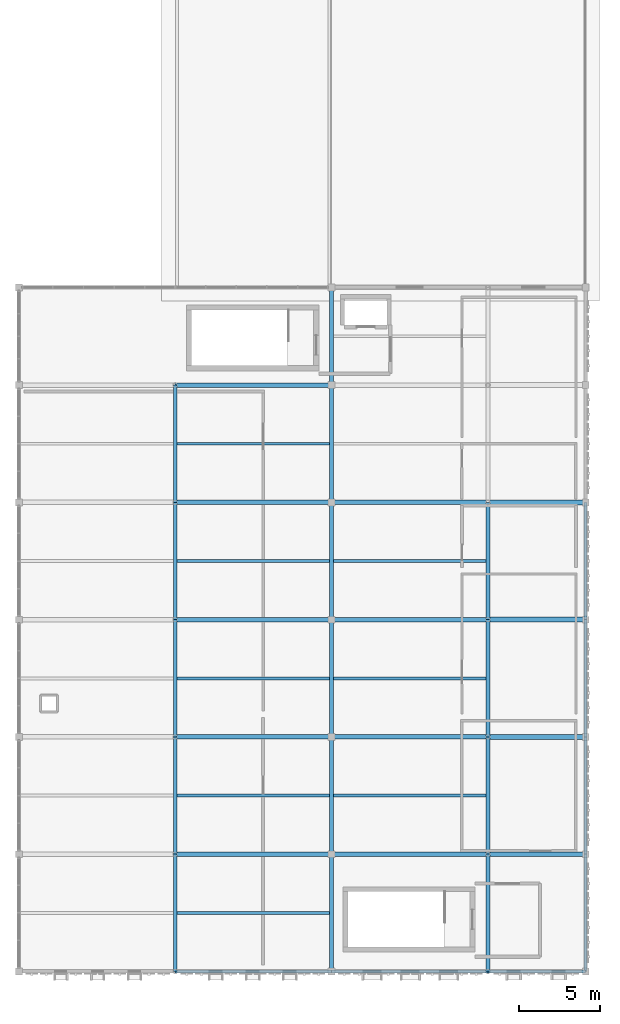
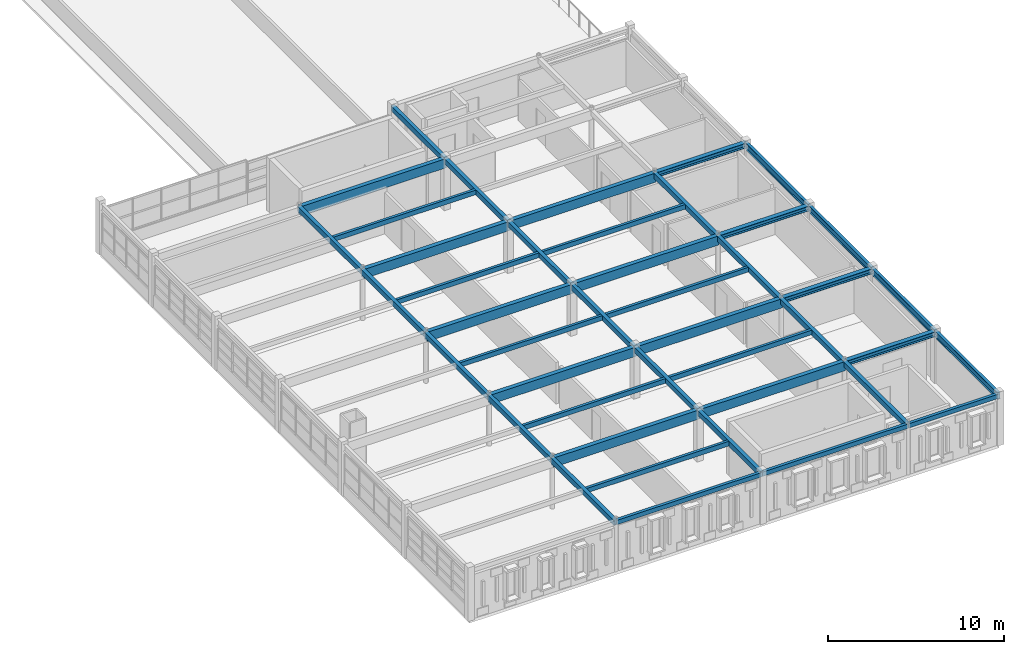
# One storey, part 9 of 25: 43 beams.
"""IFC4 building model written with IfcOpenShell, lengths in metres."""

import ifcopenshell
import ifcopenshell.guid

model = None  # the IFC model being written
_history = None  # IfcOwnerHistory: only IFC2X3 demands one
_inside = {}  # id of a spatial element -> (the spatial element, [elements in it])
_under = {}  # id of a project, library or spatial element -> (it, [spatial elements below it])
_declared = {}  # id of a project -> (the project, [libraries it declares])
_typed = {}  # id of a type object -> (the type object, [elements of that type])
_made_of = {}  # id of a material, layer set ... -> (it, [elements and type objects made of it])


def new_model(schema):
    """Start an empty IFC model of exactly this schema.

    Asked for "IFC4X3", IfcOpenShell would pick the latest addendum, in which some entities
    have other attributes; the version numbers below select the first issue.
    IFC2X3 requires an IfcOwnerHistory on every rooted entity: one is made here for all.
    """
    global model, _history
    if schema == "IFC4X3":
        model = ifcopenshell.file(schema_version=(4, 3, 0, 0))
    else:
        model = ifcopenshell.file(schema=schema)
    _inside.clear()
    _under.clear()
    _declared.clear()
    _typed.clear()
    _made_of.clear()
    _history = None
    if model.schema == "IFC2X3":
        org = make("IfcOrganization", Name="unknown")
        user = make(
            "IfcPersonAndOrganization",
            ThePerson=make("IfcPerson", FamilyName="unknown"),
            TheOrganization=org,
        )
        app = make(
            "IfcApplication",
            ApplicationDeveloper=org,
            Version="unknown",
            ApplicationFullName="unknown",
            ApplicationIdentifier="unknown",
        )
        _history = make(
            "IfcOwnerHistory",
            OwningUser=user,
            OwningApplication=app,
            ChangeAction="ADDED",
            CreationDate=0,
        )
    return model


def make(cls, **values):
    """One entity of the class cls with the attributes given. An attribute that is None is left unset."""
    return model.create_entity(
        cls, **{name: value for name, value in values.items() if value is not None}
    )


def rooted(cls, **values):
    """An entity with a GlobalId (a new one), such as an element, a storey or a relation."""
    return make(cls, GlobalId=ifcopenshell.guid.new(), OwnerHistory=_history, **values)


def si_unit(unit_type, name, prefix=None):
    """IfcSIUnit, for example si_unit("LENGTHUNIT", "METRE", prefix="MILLI")."""
    return make("IfcSIUnit", UnitType=unit_type, Prefix=prefix, Name=name)


def assignment(units):
    """IfcUnitAssignment: the units of a project."""
    return None if units is None else make("IfcUnitAssignment", Units=units)


def point(xyz):
    """IfcCartesianPoint."""
    return None if xyz is None else make("IfcCartesianPoint", Coordinates=xyz)


def direction(xyz):
    """IfcDirection."""
    return None if xyz is None else make("IfcDirection", DirectionRatios=xyz)


def frame(location, z_axis=None, x_axis=None):
    """IfcAxis2Placement3D, a coordinate frame: its origin and axes. An axis left out is left unset."""
    return make(
        "IfcAxis2Placement3D",
        Location=point(location),
        Axis=direction(z_axis),
        RefDirection=direction(x_axis),
    )


def frame_2d(location, x_axis=None):
    """IfcAxis2Placement2D, a coordinate frame in the plane: its origin and x axis."""
    return make(
        "IfcAxis2Placement2D", Location=point(location), RefDirection=direction(x_axis)
    )


def origin():
    """The frame at (0, 0, 0) with its axes left unset."""
    return frame((0.0, 0.0, 0.0))


def origin_2d():
    """The frame at (0, 0) in the plane with its x axis left unset."""
    return frame_2d((0.0, 0.0))


def place(relative_to, where):
    """IfcLocalPlacement: puts the frame where relative to a parent placement (None: the world)."""
    return make(
        "IfcLocalPlacement", PlacementRelTo=relative_to, RelativePlacement=where
    )


def context(
    kind, dimensions, precision=None, world=None, true_north=None, identifier=None
):
    """IfcGeometricRepresentationContext, for example the 3D "Model" context."""
    return make(
        "IfcGeometricRepresentationContext",
        ContextIdentifier=identifier,
        ContextType=kind,
        CoordinateSpaceDimension=dimensions,
        Precision=precision,
        WorldCoordinateSystem=world,
        TrueNorth=true_north,
    )


def subcontext(parent, identifier, kind, view, scale=None):
    """IfcGeometricRepresentationSubContext, for example "Body" below "Model"."""
    return make(
        "IfcGeometricRepresentationSubContext",
        ContextIdentifier=identifier,
        ContextType=kind,
        ParentContext=parent,
        TargetScale=scale,
        TargetView=view,
    )


def project(units=None, contexts=None):
    """IfcProject with its units and contexts."""
    return rooted(
        "IfcProject",
        Name="project",
        RepresentationContexts=contexts,
        UnitsInContext=assignment(units),
    )


def spatial(cls, under=None, at=None, **own):
    """A site, building, storey or space (cls), placed at a placement, below another one or the project."""
    s = rooted(cls, ObjectPlacement=at, **own)
    if under is not None:
        _under.setdefault(under.id(), (under, []))[1].append(s)
    return s


def profile(cls, at=None, kind="AREA", **sizes):
    """A parametric profile (cls). Its sizes go by their IFC names, for example OverallWidth=200.0."""
    return make(cls, ProfileType=kind, Position=at, **sizes)


def rectangle(**sizes):
    """IfcRectangleProfileDef."""
    return profile("IfcRectangleProfileDef", **sizes)


def hollow_rectangle(**sizes):
    """IfcRectangleHollowProfileDef."""
    return profile("IfcRectangleHollowProfileDef", **sizes)


def i_section(**sizes):
    """IfcIShapeProfileDef."""
    return profile("IfcIShapeProfileDef", **sizes)


def extrude(swept, where, along, depth):
    """IfcExtrudedAreaSolid: the profile swept, set in the frame where, extruded along a direction by depth."""
    return make(
        "IfcExtrudedAreaSolid",
        SweptArea=swept,
        Position=where,
        ExtrudedDirection=direction(along),
        Depth=depth,
    )


def shape(context_of_items, identifier, shape_type, items):
    """IfcShapeRepresentation: the items that make up one representation, for example the "Body"."""
    return make(
        "IfcShapeRepresentation",
        ContextOfItems=context_of_items,
        RepresentationIdentifier=identifier,
        RepresentationType=shape_type,
        Items=items,
    )


def material(Name=None, Category=None):
    """IfcMaterial."""
    return make("IfcMaterial", Name=Name, Category=Category)


def material_profile(
    of_material, cross_section, Name=None, Category=None, Priority=None
):
    """IfcMaterialProfile: a cross section and its material."""
    return make(
        "IfcMaterialProfile",
        Name=Name,
        Material=of_material,
        Profile=cross_section,
        Priority=Priority,
        Category=Category,
    )


def profile_set(profiles, Name=None, composite=None):
    """IfcMaterialProfileSet."""
    return make(
        "IfcMaterialProfileSet",
        Name=Name,
        MaterialProfiles=profiles,
        CompositeProfile=composite,
    )


def made_of(thing, what):
    """Note that an element or type object is made of a material, layer set ...; save() writes the relation."""
    if what is not None:
        _made_of.setdefault(what.id(), (what, []))[1].append(thing)
    return thing


def type_object(cls, material=None, **own):
    """A type object (cls), such as IfcWallType, which elements share."""
    return made_of(rooted(cls, **own), material)


def element(
    cls,
    number,
    at=None,
    inside=None,
    cuts=None,
    type_object=None,
    material=None,
    context=None,
    identifier="Body",
    shape_type=None,
    held_by="IfcProductDefinitionShape",
    body=None,
    shapes=None,
    **own,
):
    """One element of the class cls, such as IfcWall. Its Tag is "e" and its number.

    at: its placement. inside: the storey or other place that contains it. cuts: it is an
    opening in that element (IfcRelVoidsElement). A single representation is given by context,
    identifier, shape_type and body (its items); several are given by shapes. held_by: the class
    of the entity that holds the representations. save() writes the other relations.
    """
    e = rooted(cls, Tag="e%d" % number, ObjectPlacement=at, **own)
    if body is not None:
        shapes = [shape(context, identifier, shape_type, body)]
    if shapes is not None:
        e.Representation = make(held_by, Representations=shapes)
    if inside is not None:
        _inside.setdefault(inside.id(), (inside, []))[1].append(e)
    if cuts is not None:
        rooted(
            "IfcRelVoidsElement", RelatingBuildingElement=cuts, RelatedOpeningElement=e
        )
    if type_object is not None:
        _typed.setdefault(type_object.id(), (type_object, []))[1].append(e)
    return made_of(e, material)


def aggregate(whole, parts):
    """IfcRelAggregates: a whole, such as a stair, and the parts it consists of."""
    return rooted("IfcRelAggregates", RelatingObject=whole, RelatedObjects=parts)


def save(model, path):
    """Write the relations noted so far, then the file.

    IfcRelAggregates (storeys below a building ...), IfcRelContainedInSpatialStructure (elements
    in a storey), IfcRelDefinesByType, IfcRelAssociatesMaterial and IfcRelDeclares: one each for
    every whole, place, type object, material and project.
    """
    for whole, parts in _under.values():
        aggregate(whole, parts)
    for where, things in _inside.values():
        rooted(
            "IfcRelContainedInSpatialStructure",
            RelatedElements=things,
            RelatingStructure=where,
        )
    for kind, things in _typed.values():
        rooted("IfcRelDefinesByType", RelatedObjects=things, RelatingType=kind)
    for what, things in _made_of.values():
        rooted("IfcRelAssociatesMaterial", RelatedObjects=things, RelatingMaterial=what)
    for by, libraries in _declared.values():
        rooted("IfcRelDeclares", RelatingContext=by, RelatedDefinitions=libraries)
    model.write(path)


model = new_model("IFC4")

# Units and contexts
model_context = context("Model", 3, precision=1e-05, world=origin(), true_north=direction((0.0, 1.0)))
body_context = subcontext(model_context, "Body", "Model", "MODEL_VIEW")
ifc_project = project(units=[si_unit("LENGTHUNIT", "METRE"), si_unit("AREAUNIT", "SQUARE_METRE"), si_unit("VOLUMEUNIT", "CUBIC_METRE"), si_unit("PLANEANGLEUNIT", "RADIAN"), si_unit("MASSUNIT", "GRAM", prefix="KILO")], contexts=[model_context])

# Site, building, storey
site_placement = place(None, origin())
site = spatial("IfcSite", under=ifc_project, at=site_placement, CompositionType="ELEMENT")
building_placement = place(site_placement, origin())
building = spatial("IfcBuilding", under=site, at=building_placement, Name="Nzembalo Square Collegiate School", CompositionType="ELEMENT")
storey_placement = place(building_placement, frame((0.0, 0.0, 21.080078125)))
storey = spatial("IfcBuildingStorey", under=building, at=storey_placement, Name="L05", CompositionType="ELEMENT", Elevation=21.080078125)

# Beams
ifc_material_1 = material(Name="Glulam GL32h", Category="wood")
ifc_material_profile_1 = material_profile(ifc_material_1, rectangle(XDim=0.280029296875, YDim=0.639892578125, at=origin_2d()), Name="GL32h 280x640")
ifc_profile_set_1 = profile_set([ifc_material_profile_1], Name="Glulam GL32h")
beam_type_1 = type_object("IfcBeamType", Name="B04", PredefinedType="BEAM", material=ifc_profile_set_1)
for number, where, z_axis, x_axis, name in (
    (1, (140.39990234375, 15.60009765625, 3.2099609375), (1.0, 0.0, 0.0), (0.0, 1.0, 0.0), "Beam B04 L05"),
    (2, (150.0, 15.60009765625, 3.2099609375), (1.0, 0.0, 0.0), (0.0, 1.0, 0.0), "Beam B04 L05"),
    (3, (140.39990234375, 22.800048828125, 3.2099609375), (1.0, 0.0, 0.0), (0.0, 1.0, 0.0), "Beam B04 L05"),
    (4, (150.0, 22.800048828125, 3.2099609375), (1.0, 0.0, 0.0), (0.0, 1.0, 0.0), "Beam B04 L05"),
    (5, (140.39990234375, 30.0, 3.2099609375), (1.0, 0.0, 0.0), (0.0, 1.0, 0.0), "Beam B04 L05"),
    (6, (150.0, 30.0, 3.2099609375), (1.0, 0.0, 0.0), (0.0, 1.0, 0.0), "Beam B04 L05"),
    (7, (140.39990234375, 37.199951171875, 3.2099609375), (1.0, 0.0, 0.0), (0.0, 1.0, 0.0), "Beam B04 L05"),
    (8, (150.0, 37.199951171875, 3.2099609375), (1.0, 0.0, 0.0), (0.0, 1.0, 0.0), "Beam B04 L05"),
    (9, (140.39990234375, 44.39990234375, 3.2099609375), (1.0, 0.0, 0.0), (0.0, 1.0, 0.0), "Beam B04 L05"),
):
    element("IfcBeam", number, at=place(storey_placement, frame(where, z_axis=z_axis, x_axis=x_axis)), inside=storey, type_object=beam_type_1, Name=name, PredefinedType="BEAM", context=body_context, shape_type="SweptSolid", body=[
        extrude(rectangle(XDim=0.280029296875, YDim=0.639892578125, at=origin_2d()), origin(), (0.0, 0.0, 1.0), 9.60009765625),
    ])
ifc_material_2 = material(Name="Steel S355", Category="steel")
ifc_material_profile_2 = material_profile(ifc_material_2, i_section(OverallWidth=0.18994140625, OverallDepth=0.449951171875, WebThickness=0.009521484375, FlangeThickness=0.0146484375, at=origin_2d()), Name="IPE 450")
ifc_profile_set_2 = profile_set([ifc_material_profile_2], Name="Steel S355")
beam_type_2 = type_object("IfcBeamType", Name="B09", PredefinedType="BEAM", material=ifc_profile_set_2)
beam_1_placement = place(storey_placement, frame((165.60009765625, 8.39990234375, 3.304931640625), z_axis=(0.0, 1.0, 0.0), x_axis=(-1.0, 0.0, 0.0)))
element("IfcBeam", 10, at=beam_1_placement, inside=storey, type_object=beam_type_2, Name="Beam B09 L05", PredefinedType="BEAM", context=body_context, shape_type="SweptSolid", body=[
    extrude(i_section(OverallWidth=0.18994140625, OverallDepth=0.449951171875, WebThickness=0.009521484375, FlangeThickness=0.0146484375, at=origin_2d()), origin(), (0.0, 0.0, 1.0), 7.2001953125),
])
for number, where, z_axis, x_axis, name in (
    (11, (165.60009765625, 15.60009765625, 3.304931640625), (0.0, 1.0, 0.0), (-1.0, 0.0, 0.0), "Beam B09 L05"),
    (12, (165.60009765625, 22.800048828125, 3.304931640625), (0.0, 1.0, 0.0), (-1.0, 0.0, 0.0), "Beam B09 L05"),
    (13, (165.60009765625, 30.0, 3.304931640625), (0.0, 1.0, 0.0), (-1.0, 0.0, 0.0), "Beam B09 L05"),
):
    element("IfcBeam", number, at=place(storey_placement, frame(where, z_axis=z_axis, x_axis=x_axis)), inside=storey, type_object=beam_type_2, Name=name, PredefinedType="BEAM", context=body_context, shape_type="SweptSolid", body=[
        extrude(i_section(OverallWidth=0.18994140625, OverallDepth=0.449951171875, WebThickness=0.009521484375, FlangeThickness=0.0146484375, at=origin_2d()), origin(), (0.0, 0.0, 1.0), 7.199951171875),
    ])
ifc_material_3 = material(Name="Steel S355", Category="steel")
ifc_material_profile_3 = material_profile(ifc_material_3, i_section(OverallWidth=0.300048828125, OverallDepth=0.340087890625, WebThickness=0.011962890625, FlangeThickness=0.021484375, at=origin_2d()), Name="HEB 340")
ifc_profile_set_3 = profile_set([ifc_material_profile_3], Name="Steel S355")
beam_type_3 = type_object("IfcBeamType", Name="B11", PredefinedType="BEAM", material=ifc_profile_set_3)
for number, where, z_axis, x_axis, name in (
    (14, (159.60009765625, 15.60009765625, 3.35986328125), (1.0, 0.0, 0.0), (0.0, 1.0, 0.0), "Beam B11 L05"),
    (15, (159.60009765625, 22.800048828125, 3.35986328125), (1.0, 0.0, 0.0), (0.0, 1.0, 0.0), "Beam B11 L05"),
    (16, (159.60009765625, 30.0, 3.35986328125), (1.0, 0.0, 0.0), (0.0, 1.0, 0.0), "Beam B11 L05"),
    (17, (159.60009765625, 37.199951171875, 3.35986328125), (1.0, 0.0, 0.0), (0.0, 1.0, 0.0), "Beam B11 L05"),
):
    element("IfcBeam", number, at=place(storey_placement, frame(where, z_axis=z_axis, x_axis=x_axis)), inside=storey, type_object=beam_type_3, Name=name, PredefinedType="BEAM", context=body_context, shape_type="SweptSolid", body=[
        extrude(i_section(OverallWidth=0.300048828125, OverallDepth=0.340087890625, WebThickness=0.011962890625, FlangeThickness=0.021484375, at=origin_2d()), origin(), (0.0, 0.0, 1.0), 6.0),
    ])
ifc_material_4 = material(Name="Glulam GL32h", Category="wood")
ifc_material_profile_4 = material_profile(ifc_material_4, rectangle(XDim=0.239990234375, YDim=0.360107421875, at=origin_2d()), Name="GL32h 240x360")
ifc_profile_set_4 = profile_set([ifc_material_profile_4], Name="Glulam GL32h")
beam_type_4 = type_object("IfcBeamType", Name="B15", PredefinedType="BEAM", material=ifc_profile_set_4)
beam_2_placement = place(storey_placement, frame((140.39990234375, 8.39990234375, 3.349853515625), z_axis=(0.0, 1.0, 0.0), x_axis=(-1.0, 0.0, 0.0)))
element("IfcBeam", 18, at=beam_2_placement, inside=storey, type_object=beam_type_4, Name="Beam B15 L05", PredefinedType="BEAM", context=body_context, shape_type="SweptSolid", body=[
    extrude(rectangle(XDim=0.239990234375, YDim=0.360107421875, at=origin_2d()), origin(), (0.0, 0.0, 1.0), 7.2001953125),
])
for number, where, z_axis, x_axis, name in (
    (19, (140.39990234375, 15.60009765625, 3.349853515625), (0.0, 1.0, 0.0), (-1.0, 0.0, 0.0), "Beam B15 L05"),
    (20, (140.39990234375, 22.800048828125, 3.349853515625), (0.0, 1.0, 0.0), (-1.0, 0.0, 0.0), "Beam B15 L05"),
    (21, (140.39990234375, 30.0, 3.349853515625), (0.0, 1.0, 0.0), (-1.0, 0.0, 0.0), "Beam B15 L05"),
    (22, (140.39990234375, 37.199951171875, 3.349853515625), (0.0, 1.0, 0.0), (-1.0, 0.0, 0.0), "Beam B15 L05"),
):
    element("IfcBeam", number, at=place(storey_placement, frame(where, z_axis=z_axis, x_axis=x_axis)), inside=storey, type_object=beam_type_4, Name=name, PredefinedType="BEAM", context=body_context, shape_type="SweptSolid", body=[
        extrude(rectangle(XDim=0.239990234375, YDim=0.360107421875, at=origin_2d()), origin(), (0.0, 0.0, 1.0), 7.199951171875),
    ])
beam_3_placement = place(storey_placement, frame((150.0, 8.39990234375, 3.349853515625), z_axis=(0.0, 1.0, 0.0), x_axis=(-1.0, 0.0, 0.0)))
element("IfcBeam", 23, at=beam_3_placement, inside=storey, type_object=beam_type_4, Name="Beam B15 L05", PredefinedType="BEAM", context=body_context, shape_type="SweptSolid", body=[
    extrude(rectangle(XDim=0.239990234375, YDim=0.360107421875, at=origin_2d()), origin(), (0.0, 0.0, 1.0), 7.2001953125),
])
for number, where, z_axis, x_axis, name in (
    (24, (150.0, 15.60009765625, 3.349853515625), (0.0, 1.0, 0.0), (-1.0, 0.0, 0.0), "Beam B15 L05"),
    (25, (150.0, 22.800048828125, 3.349853515625), (0.0, 1.0, 0.0), (-1.0, 0.0, 0.0), "Beam B15 L05"),
    (26, (150.0, 30.0, 3.349853515625), (0.0, 1.0, 0.0), (-1.0, 0.0, 0.0), "Beam B15 L05"),
    (27, (150.0, 37.199951171875, 3.349853515625), (0.0, 1.0, 0.0), (-1.0, 0.0, 0.0), "Beam B15 L05"),
):
    element("IfcBeam", number, at=place(storey_placement, frame(where, z_axis=z_axis, x_axis=x_axis)), inside=storey, type_object=beam_type_4, Name=name, PredefinedType="BEAM", context=body_context, shape_type="SweptSolid", body=[
        extrude(rectangle(XDim=0.239990234375, YDim=0.360107421875, at=origin_2d()), origin(), (0.0, 0.0, 1.0), 7.199951171875),
    ])
beam_4_placement = place(storey_placement, frame((150.0, 44.39990234375, 3.349853515625), z_axis=(0.0, 1.0, 0.0), x_axis=(-1.0, 0.0, 0.0)))
element("IfcBeam", 28, at=beam_4_placement, inside=storey, type_object=beam_type_4, Name="Beam B15 L05", PredefinedType="BEAM", context=body_context, shape_type="SweptSolid", body=[
    extrude(rectangle(XDim=0.239990234375, YDim=0.360107421875, at=origin_2d()), origin(), (0.0, 0.0, 1.0), 6.0),
])
beam_5_placement = place(storey_placement, frame((159.60009765625, 8.39990234375, 3.349853515625), z_axis=(0.0, 1.0, 0.0), x_axis=(-1.0, 0.0, 0.0)))
element("IfcBeam", 29, at=beam_5_placement, inside=storey, type_object=beam_type_4, Name="Beam B15 L05", PredefinedType="BEAM", context=body_context, shape_type="SweptSolid", body=[
    extrude(rectangle(XDim=0.239990234375, YDim=0.360107421875, at=origin_2d()), origin(), (0.0, 0.0, 1.0), 7.2001953125),
])
for number, where, z_axis, x_axis, name in (
    (30, (159.60009765625, 15.60009765625, 3.349853515625), (0.0, 1.0, 0.0), (-1.0, 0.0, 0.0), "Beam B15 L05"),
    (31, (159.60009765625, 22.800048828125, 3.349853515625), (0.0, 1.0, 0.0), (-1.0, 0.0, 0.0), "Beam B15 L05"),
    (32, (159.60009765625, 30.0, 3.349853515625), (0.0, 1.0, 0.0), (-1.0, 0.0, 0.0), "Beam B15 L05"),
):
    element("IfcBeam", number, at=place(storey_placement, frame(where, z_axis=z_axis, x_axis=x_axis)), inside=storey, type_object=beam_type_4, Name=name, PredefinedType="BEAM", context=body_context, shape_type="SweptSolid", body=[
        extrude(rectangle(XDim=0.239990234375, YDim=0.360107421875, at=origin_2d()), origin(), (0.0, 0.0, 1.0), 7.199951171875),
    ])
ifc_material_5 = material(Name="Glulam GL28h", Category="wood")
ifc_material_profile_5 = material_profile(ifc_material_5, rectangle(XDim=0.179931640625, YDim=0.320068359375, at=origin_2d()), Name="GL28h 180x320")
ifc_profile_set_5 = profile_set([ifc_material_profile_5], Name="Glulam GL28h")
beam_type_5 = type_object("IfcBeamType", Name="J02", PredefinedType="JOIST", material=ifc_profile_set_5)
for number, where, z_axis, x_axis, name in (
    (33, (140.52001953125, 12.0, 3.369873046875), (1.0, 0.0, 0.0), (0.0, 1.0, 0.0), "Secondary joist J02 L05"),
    (34, (140.52001953125, 19.199951171875, 3.369873046875), (1.0, 0.0, 0.0), (0.0, 1.0, 0.0), "Secondary joist J02 L05"),
    (35, (140.52001953125, 26.39990234375, 3.369873046875), (1.0, 0.0, 0.0), (0.0, 1.0, 0.0), "Secondary joist J02 L05"),
    (36, (140.52001953125, 33.60009765625, 3.369873046875), (1.0, 0.0, 0.0), (0.0, 1.0, 0.0), "Secondary joist J02 L05"),
    (37, (140.52001953125, 40.800048828125, 3.369873046875), (1.0, 0.0, 0.0), (0.0, 1.0, 0.0), "Secondary joist J02 L05"),
    (38, (150.1201171875, 19.199951171875, 3.369873046875), (1.0, 0.0, 0.0), (0.0, 1.0, 0.0), "Secondary joist J02 L05"),
    (39, (150.1201171875, 26.39990234375, 3.369873046875), (1.0, 0.0, 0.0), (0.0, 1.0, 0.0), "Secondary joist J02 L05"),
    (40, (150.1201171875, 33.60009765625, 3.369873046875), (1.0, 0.0, 0.0), (0.0, 1.0, 0.0), "Secondary joist J02 L05"),
):
    element("IfcBeam", number, at=place(storey_placement, frame(where, z_axis=z_axis, x_axis=x_axis)), inside=storey, type_object=beam_type_5, Name=name, PredefinedType="JOIST", context=body_context, shape_type="SweptSolid", body=[
        extrude(rectangle(XDim=0.179931640625, YDim=0.320068359375, at=origin_2d()), origin(), (0.0, 0.0, 1.0), 9.35986328125),
    ])
ifc_material_6 = material(Name="Steel S355", Category="steel")
ifc_material_profile_6 = material_profile(ifc_material_6, hollow_rectangle(XDim=0.199951171875, YDim=0.300048828125, WallThickness=0.011962890625, at=origin_2d()), Name="RHS 300x200x12")
ifc_profile_set_6 = profile_set([ifc_material_profile_6], Name="Steel S355")
beam_type_6 = type_object("IfcBeamType", Name="SP03", PredefinedType="SPANDREL", material=ifc_profile_set_6)
for number, where, z_axis, x_axis, name in (
    (41, (140.39990234375, 8.39990234375, 3.3798828125), (1.0, 0.0, 0.0), (0.0, 1.0, 0.0), "Beam SP03 L05"),
    (42, (150.0, 8.39990234375, 3.3798828125), (1.0, 0.0, 0.0), (0.0, 1.0, 0.0), "Beam SP03 L05"),
):
    element("IfcBeam", number, at=place(storey_placement, frame(where, z_axis=z_axis, x_axis=x_axis)), inside=storey, type_object=beam_type_6, Name=name, PredefinedType="SPANDREL", context=body_context, shape_type="SweptSolid", body=[
        extrude(hollow_rectangle(XDim=0.199951171875, YDim=0.300048828125, WallThickness=0.011962890625, at=origin_2d()), origin(), (0.0, 0.0, 1.0), 9.60009765625),
    ])
beam_6_placement = place(storey_placement, frame((159.60009765625, 8.39990234375, 3.3798828125), z_axis=(1.0, 0.0, 0.0), x_axis=(0.0, 1.0, 0.0)))
element("IfcBeam", 43, at=beam_6_placement, inside=storey, type_object=beam_type_6, Name="Beam SP03 L05", PredefinedType="SPANDREL", context=body_context, shape_type="SweptSolid", body=[
    extrude(hollow_rectangle(XDim=0.199951171875, YDim=0.300048828125, WallThickness=0.011962890625, at=origin_2d()), origin(), (0.0, 0.0, 1.0), 6.0),
])

save(model, "model.ifc")
